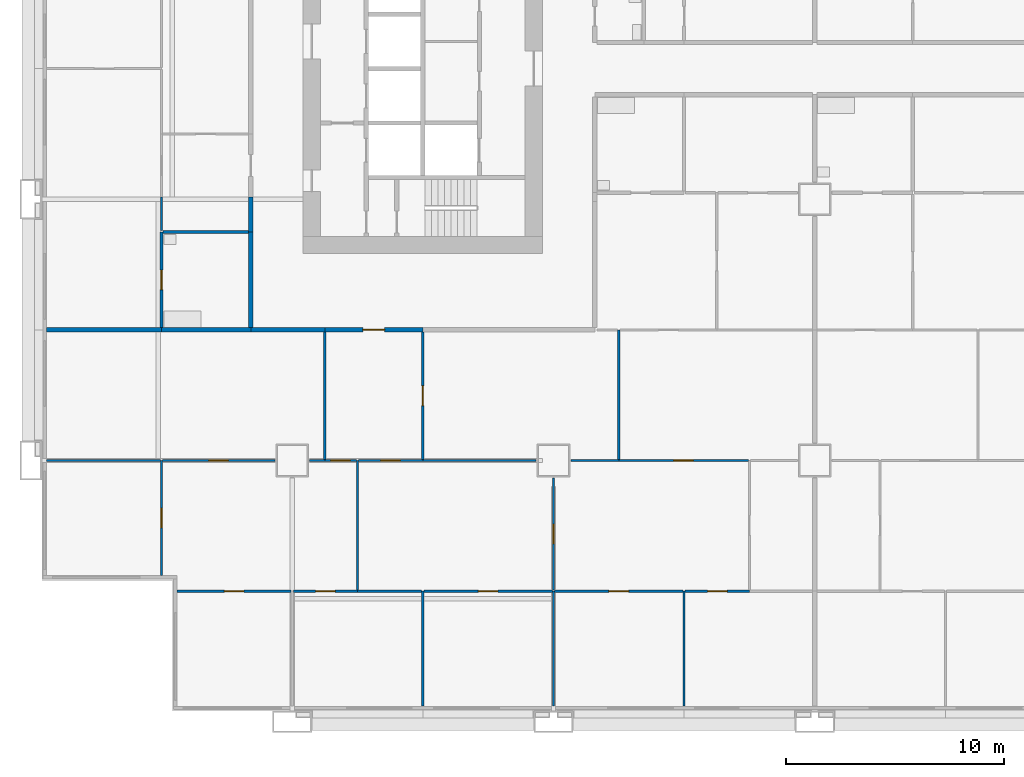
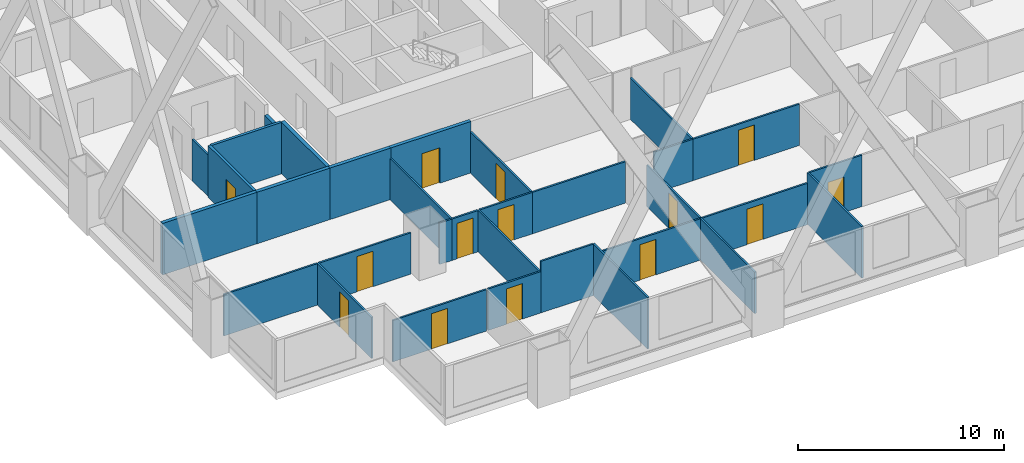
# One storey, part 2 of 13: 32 walls, 14 doors, 14 openings.
"""IFC4 building model written with IfcOpenShell, lengths in metres."""

from ifc_helpers import new_model, si_unit, direction, frame, frame_2d, origin, place, context, subcontext, project, spatial, rectangle, extrude, material, layer, layer_set, type_object, element, fill, save


model = new_model("IFC4")

# Units and contexts
model_context = context("Model", 3, precision=1e-05, world=origin(), true_north=direction((0.0, 1.0)))
body_context = subcontext(model_context, "Body", "Model", "MODEL_VIEW")
ifc_project = project(units=[si_unit("LENGTHUNIT", "METRE"), si_unit("AREAUNIT", "SQUARE_METRE"), si_unit("VOLUMEUNIT", "CUBIC_METRE"), si_unit("PLANEANGLEUNIT", "RADIAN"), si_unit("MASSUNIT", "GRAM", prefix="KILO")], contexts=[model_context])

# Site, building, storey
site_placement = place(None, origin())
site = spatial("IfcSite", under=ifc_project, at=site_placement, CompositionType="ELEMENT")
building_placement = place(site_placement, origin())
building = spatial("IfcBuilding", under=site, at=building_placement, Name="Kitamizu Gate Tower and Museum", CompositionType="ELEMENT")
storey_placement = place(building_placement, frame((0.0, 0.0, 30.0)))
storey = spatial("IfcBuildingStorey", under=building, at=storey_placement, Name="L05", CompositionType="ELEMENT", Elevation=30.0)

# Wall, opening, door
ifc_material_1 = material(Name="Gypsum board on galvanised stud")
ifc_layer_1 = layer(ifc_material_1, 0.10009765625)
ifc_layer_set_1 = layer_set([ifc_layer_1], Name="Gypsum board on galvanised stud")
wall_type_1 = type_object("IfcWallType", Name="Partition 100 NOT RATED", PredefinedType="PARTITIONING", material=ifc_layer_set_1)
wall_1_placement = place(storey_placement, frame((11.949951171875, 6.0, 0.0), z_axis=(0.0, 0.0, 1.0), x_axis=(-1.0, 0.0, 0.0)))
wall_1 = element("IfcWall", 1, at=wall_1_placement, inside=storey, type_object=wall_type_1, Name="Partition L05-002", PredefinedType="PARTITIONING", context=body_context, shape_type="SweptSolid", body=[
    extrude(rectangle(XDim=5.22998046875, YDim=0.10009765625, at=frame_2d((2.614990234375, 0.0))), origin(), (0.0, 0.0, 1.0), 2.449951171875),
])
opening_1_placement = place(wall_1_placement, frame((2.1650390625, 0.0, 0.0)))
opening_1 = element("IfcOpeningElement", 2, at=opening_1_placement, cuts=wall_1, Name="Opening L05-004", PredefinedType="OPENING", context=body_context, shape_type="SweptSolid", body=[
    extrude(rectangle(XDim=0.89990234375, YDim=2.10009765625, at=frame_2d((0.449951171875, 1.050048828125))), frame((0.0, 0.06005859375, 0.0), z_axis=(0.0, -1.0, 0.0), x_axis=(1.0, 0.0, 0.0)), (0.0, 0.0, 1.0), 0.1201171875),
])
ifc_material_2 = material(Name="Timber door set", Category="wood")
door_type_1 = type_object("IfcDoorType", Name="Room door 900", OperationType="NOTDEFINED", PredefinedType="DOOR", material=ifc_material_2)
door_1_placement = place(opening_1_placement, origin())
door_1 = element("IfcDoor", 3, at=door_1_placement, inside=storey, type_object=door_type_1, Name="Door L05-004", OperationType="SINGLE_SWING_LEFT", OverallHeight=2.10009765625, OverallWidth=0.89990234375, PredefinedType="DOOR", context=body_context, shape_type="SweptSolid", body=[
    extrude(rectangle(XDim=0.89990234375, YDim=2.10009765625, at=frame_2d((0.449951171875, 1.050048828125))), frame((0.0, 0.02490234375, 0.0), z_axis=(0.0, -1.0, 0.0), x_axis=(1.0, 0.0, 0.0)), (0.0, 0.0, 1.0), 0.050048828125),
])
fill(opening_1, door_1)

# Wall
wall_2_placement = place(storey_placement, frame((18.0, 0.719970703125, 0.0), z_axis=(0.0, 0.0, 1.0), x_axis=(0.0, 1.0, 0.0)))
element("IfcWall", 4, at=wall_2_placement, inside=storey, type_object=wall_type_1, Name="Partition L05-003", PredefinedType="PARTITIONING", context=body_context, shape_type="SweptSolid", body=[
    extrude(rectangle(XDim=5.280029296875, YDim=0.10009765625, at=frame_2d((2.64013671875, 0.0))), origin(), (0.0, 0.0, 1.0), 3.050048828125),
])

# Wall, opening, door
wall_3_placement = place(storey_placement, frame((15.0, 6.0, 0.0), z_axis=(0.0, 0.0, 1.0), x_axis=(-1.0, 0.0, 0.0)))
wall_3 = element("IfcWall", 5, at=wall_3_placement, inside=storey, type_object=wall_type_1, Name="Partition L05-004", PredefinedType="PARTITIONING", context=body_context, shape_type="SweptSolid", body=[
    extrude(rectangle(XDim=2.949951171875, YDim=0.10009765625, at=frame_2d((1.47509765625, 0.0))), origin(), (0.0, 0.0, 1.0), 2.449951171875),
])
opening_2_placement = place(wall_3_placement, frame((1.02490234375, 0.0, 0.0)))
opening_2 = element("IfcOpeningElement", 6, at=opening_2_placement, cuts=wall_3, Name="Opening L05-005", PredefinedType="OPENING", context=body_context, shape_type="SweptSolid", body=[
    extrude(rectangle(XDim=0.89990234375, YDim=2.10009765625, at=frame_2d((0.449951171875, 1.050048828125))), frame((0.0, 0.06005859375, 0.0), z_axis=(0.0, -1.0, 0.0), x_axis=(1.0, 0.0, 0.0)), (0.0, 0.0, 1.0), 0.1201171875),
])
door_2_placement = place(opening_2_placement, origin())
door_2 = element("IfcDoor", 7, at=door_2_placement, inside=storey, type_object=door_type_1, Name="Door L05-005", OperationType="SINGLE_SWING_LEFT", OverallHeight=2.10009765625, OverallWidth=0.89990234375, PredefinedType="DOOR", context=body_context, shape_type="SweptSolid", body=[
    extrude(rectangle(XDim=0.89990234375, YDim=2.10009765625, at=frame_2d((0.449951171875, 1.050048828125))), frame((0.0, 0.02490234375, 0.0), z_axis=(0.0, -1.0, 0.0), x_axis=(1.0, 0.0, 0.0)), (0.0, 0.0, 1.0), 0.050048828125),
])
fill(opening_2, door_2)

# Walls
wall_4_placement = place(storey_placement, frame((17.949951171875, 6.0, 0.0), z_axis=(0.0, 0.0, 1.0), x_axis=(-1.0, 0.0, 0.0)))
element("IfcWall", 8, at=wall_4_placement, inside=storey, type_object=wall_type_1, Name="Partition L05-005", PredefinedType="PARTITIONING", context=body_context, shape_type="SweptSolid", body=[
    extrude(rectangle(XDim=2.949951171875, YDim=0.10009765625, at=frame_2d((1.47509765625, 0.0))), origin(), (0.0, 0.0, 1.0), 3.050048828125),
])
wall_5_placement = place(storey_placement, frame((24.0, 0.719970703125, 0.0), z_axis=(0.0, 0.0, 1.0), x_axis=(0.0, 1.0, 0.0)))
element("IfcWall", 9, at=wall_5_placement, inside=storey, type_object=wall_type_1, Name="Partition L05-006", PredefinedType="PARTITIONING", context=body_context, shape_type="SweptSolid", body=[
    extrude(rectangle(XDim=5.280029296875, YDim=0.10009765625, at=frame_2d((2.64013671875, 0.0))), origin(), (0.0, 0.0, 1.0), 2.449951171875),
])

# Wall, opening, door
wall_6_placement = place(storey_placement, frame((23.949951171875, 6.0, 0.0), z_axis=(0.0, 0.0, 1.0), x_axis=(-1.0, 0.0, 0.0)))
wall_6 = element("IfcWall", 10, at=wall_6_placement, inside=storey, type_object=wall_type_1, Name="Partition L05-007", PredefinedType="PARTITIONING", context=body_context, shape_type="SweptSolid", body=[
    extrude(rectangle(XDim=5.89990234375, YDim=0.10009765625, at=frame_2d((2.949951171875, 0.0))), origin(), (0.0, 0.0, 1.0), 2.449951171875),
])
opening_3_placement = place(wall_6_placement, frame((2.5, 0.0, 0.0)))
opening_3 = element("IfcOpeningElement", 11, at=opening_3_placement, cuts=wall_6, Name="Opening L05-007", PredefinedType="OPENING", context=body_context, shape_type="SweptSolid", body=[
    extrude(rectangle(XDim=0.89990234375, YDim=2.10009765625, at=frame_2d((0.449951171875, 1.050048828125))), frame((0.0, 0.06005859375, 0.0), z_axis=(0.0, -1.0, 0.0), x_axis=(1.0, 0.0, 0.0)), (0.0, 0.0, 1.0), 0.1201171875),
])
door_3_placement = place(opening_3_placement, origin())
door_3 = element("IfcDoor", 12, at=door_3_placement, inside=storey, type_object=door_type_1, Name="Door L05-007", OperationType="SINGLE_SWING_LEFT", OverallHeight=2.10009765625, OverallWidth=0.89990234375, PredefinedType="DOOR", context=body_context, shape_type="SweptSolid", body=[
    extrude(rectangle(XDim=0.89990234375, YDim=2.10009765625, at=frame_2d((0.449951171875, 1.050048828125))), frame((0.0, 0.02490234375, 0.0), z_axis=(0.0, -1.0, 0.0), x_axis=(1.0, 0.0, 0.0)), (0.0, 0.0, 1.0), 0.050048828125),
])
fill(opening_3, door_3)

# Wall
wall_7_placement = place(storey_placement, frame((30.0, 0.719970703125, 0.0), z_axis=(0.0, 0.0, 1.0), x_axis=(0.0, 1.0, 0.0)))
element("IfcWall", 13, at=wall_7_placement, inside=storey, type_object=wall_type_1, Name="Partition L05-008", PredefinedType="PARTITIONING", context=body_context, shape_type="SweptSolid", body=[
    extrude(rectangle(XDim=5.280029296875, YDim=0.10009765625, at=frame_2d((2.64013671875, 0.0))), origin(), (0.0, 0.0, 1.0), 3.050048828125),
])

# Wall, opening, door
wall_8_placement = place(storey_placement, frame((29.949951171875, 6.0, 0.0), z_axis=(0.0, 0.0, 1.0), x_axis=(-1.0, 0.0, 0.0)))
wall_8 = element("IfcWall", 14, at=wall_8_placement, inside=storey, type_object=wall_type_1, Name="Partition L05-009", PredefinedType="PARTITIONING", context=body_context, shape_type="SweptSolid", body=[
    extrude(rectangle(XDim=5.89990234375, YDim=0.10009765625, at=frame_2d((2.949951171875, 0.0))), origin(), (0.0, 0.0, 1.0), 2.449951171875),
])
opening_4_placement = place(wall_8_placement, frame((2.5, 0.0, 0.0)))
opening_4 = element("IfcOpeningElement", 15, at=opening_4_placement, cuts=wall_8, Name="Opening L05-008", PredefinedType="OPENING", context=body_context, shape_type="SweptSolid", body=[
    extrude(rectangle(XDim=0.89990234375, YDim=2.10009765625, at=frame_2d((0.449951171875, 1.050048828125))), frame((0.0, 0.06005859375, 0.0), z_axis=(0.0, -1.0, 0.0), x_axis=(1.0, 0.0, 0.0)), (0.0, 0.0, 1.0), 0.1201171875),
])
door_4_placement = place(opening_4_placement, origin())
door_4 = element("IfcDoor", 16, at=door_4_placement, inside=storey, type_object=door_type_1, Name="Door L05-008", OperationType="SINGLE_SWING_RIGHT", OverallHeight=2.10009765625, OverallWidth=0.89990234375, PredefinedType="DOOR", context=body_context, shape_type="SweptSolid", body=[
    extrude(rectangle(XDim=0.89990234375, YDim=2.10009765625, at=frame_2d((0.449951171875, 1.050048828125))), frame((0.0, 0.02490234375, 0.0), z_axis=(0.0, -1.0, 0.0), x_axis=(1.0, 0.0, 0.0)), (0.0, 0.0, 1.0), 0.050048828125),
])
fill(opening_4, door_4)

wall_9_placement = place(storey_placement, frame((33.0, 6.0, 0.0), z_axis=(0.0, 0.0, 1.0), x_axis=(-1.0, 0.0, 0.0)))
wall_9 = element("IfcWall", 17, at=wall_9_placement, inside=storey, type_object=wall_type_1, Name="Partition L05-010", PredefinedType="PARTITIONING", context=body_context, shape_type="SweptSolid", body=[
    extrude(rectangle(XDim=2.949951171875, YDim=0.10009765625, at=frame_2d((1.47509765625, 0.0))), origin(), (0.0, 0.0, 1.0), 3.050048828125),
])
opening_5_placement = place(wall_9_placement, frame((1.02490234375, 0.0, 0.0)))
opening_5 = element("IfcOpeningElement", 18, at=opening_5_placement, cuts=wall_9, Name="Opening L05-009", PredefinedType="OPENING", context=body_context, shape_type="SweptSolid", body=[
    extrude(rectangle(XDim=0.89990234375, YDim=2.10009765625, at=frame_2d((0.449951171875, 1.050048828125))), frame((0.0, 0.06005859375, 0.0), z_axis=(0.0, -1.0, 0.0), x_axis=(1.0, 0.0, 0.0)), (0.0, 0.0, 1.0), 0.1201171875),
])
door_5_placement = place(opening_5_placement, origin())
door_5 = element("IfcDoor", 19, at=door_5_placement, inside=storey, type_object=door_type_1, Name="Door L05-009", OperationType="SINGLE_SWING_LEFT", OverallHeight=2.10009765625, OverallWidth=0.89990234375, PredefinedType="DOOR", context=body_context, shape_type="SweptSolid", body=[
    extrude(rectangle(XDim=0.89990234375, YDim=2.10009765625, at=frame_2d((0.449951171875, 1.050048828125))), frame((0.0, 0.02490234375, 0.0), z_axis=(0.0, -1.0, 0.0), x_axis=(1.0, 0.0, 0.0)), (0.0, 0.0, 1.0), 0.050048828125),
])
fill(opening_5, door_5)

wall_10_placement = place(storey_placement, frame((6.0, 6.719970703125, 0.0), z_axis=(0.0, 0.0, 1.0), x_axis=(0.0, 1.0, 0.0)))
wall_10 = element("IfcWall", 20, at=wall_10_placement, inside=storey, type_object=wall_type_1, Name="Partition L05-013", PredefinedType="PARTITIONING", context=body_context, shape_type="SweptSolid", body=[
    extrude(rectangle(XDim=5.280029296875, YDim=0.10009765625, at=frame_2d((2.64013671875, 0.0))), origin(), (0.0, 0.0, 1.0), 2.449951171875),
])
opening_6_placement = place(wall_10_placement, frame((2.18994140625, 0.0, 0.0)))
opening_6 = element("IfcOpeningElement", 21, at=opening_6_placement, cuts=wall_10, Name="Opening L05-010", PredefinedType="OPENING", context=body_context, shape_type="SweptSolid", body=[
    extrude(rectangle(XDim=0.89990234375, YDim=2.10009765625, at=frame_2d((0.449951171875, 1.050048828125))), frame((0.0, 0.06005859375, 0.0), z_axis=(0.0, -1.0, 0.0), x_axis=(1.0, 0.0, 0.0)), (0.0, 0.0, 1.0), 0.1201171875),
])
door_6_placement = place(opening_6_placement, origin())
door_6 = element("IfcDoor", 22, at=door_6_placement, inside=storey, type_object=door_type_1, Name="Door L05-010", OperationType="SINGLE_SWING_LEFT", OverallHeight=2.10009765625, OverallWidth=0.89990234375, PredefinedType="DOOR", context=body_context, shape_type="SweptSolid", body=[
    extrude(rectangle(XDim=0.89990234375, YDim=2.10009765625, at=frame_2d((0.449951171875, 1.050048828125))), frame((0.0, 0.02490234375, 0.0), z_axis=(0.0, -1.0, 0.0), x_axis=(1.0, 0.0, 0.0)), (0.0, 0.0, 1.0), 0.050048828125),
])
fill(opening_6, door_6)

# Walls
wall_11_placement = place(storey_placement, frame((5.949951171875, 12.0, 0.0), z_axis=(0.0, 0.0, 1.0), x_axis=(-1.0, 0.0, 0.0)))
element("IfcWall", 23, at=wall_11_placement, inside=storey, type_object=wall_type_1, Name="Partition L05-014", PredefinedType="PARTITIONING", context=body_context, shape_type="SweptSolid", body=[
    extrude(rectangle(XDim=5.22998046875, YDim=0.10009765625, at=frame_2d((2.614990234375, 0.0))), origin(), (0.0, 0.0, 1.0), 2.449951171875),
])
wall_12_placement = place(storey_placement, frame((15.0, 6.050048828125, 0.0), z_axis=(0.0, 0.0, 1.0), x_axis=(0.0, 1.0, 0.0)))
element("IfcWall", 24, at=wall_12_placement, inside=storey, type_object=wall_type_1, Name="Partition L05-015", PredefinedType="PARTITIONING", context=body_context, shape_type="SweptSolid", body=[
    extrude(rectangle(XDim=5.949951171875, YDim=0.10009765625, at=frame_2d((2.97509765625, 0.0))), origin(), (0.0, 0.0, 1.0), 2.449951171875),
])

# Wall, opening, door
wall_13_placement = place(storey_placement, frame((11.199951171875, 12.0, 0.0), z_axis=(0.0, 0.0, 1.0), x_axis=(-1.0, 0.0, 0.0)))
wall_13 = element("IfcWall", 25, at=wall_13_placement, inside=storey, type_object=wall_type_1, Name="Partition L05-016", PredefinedType="PARTITIONING", context=body_context, shape_type="SweptSolid", body=[
    extrude(rectangle(XDim=5.14990234375, YDim=0.10009765625, at=frame_2d((2.574951171875, 0.0))), origin(), (0.0, 0.0, 1.0), 2.449951171875),
])
opening_7_placement = place(wall_13_placement, frame((2.125, 0.0, 0.0)))
opening_7 = element("IfcOpeningElement", 26, at=opening_7_placement, cuts=wall_13, Name="Opening L05-012", PredefinedType="OPENING", context=body_context, shape_type="SweptSolid", body=[
    extrude(rectangle(XDim=0.89990234375, YDim=2.10009765625, at=frame_2d((0.449951171875, 1.050048828125))), frame((0.0, 0.06005859375, 0.0), z_axis=(0.0, -1.0, 0.0), x_axis=(1.0, 0.0, 0.0)), (0.0, 0.0, 1.0), 0.1201171875),
])
door_7_placement = place(opening_7_placement, frame((0.89990234375, 0.0, 0.0), x_axis=(-1.0, 0.0, 0.0)))
door_7 = element("IfcDoor", 27, at=door_7_placement, inside=storey, type_object=door_type_1, Name="Door L05-012", OperationType="SINGLE_SWING_RIGHT", OverallHeight=2.10009765625, OverallWidth=0.89990234375, PredefinedType="DOOR", context=body_context, shape_type="SweptSolid", body=[
    extrude(rectangle(XDim=0.89990234375, YDim=2.10009765625, at=frame_2d((0.449951171875, 1.050048828125))), frame((0.0, 0.02490234375, 0.0), z_axis=(0.0, -1.0, 0.0), x_axis=(1.0, 0.0, 0.0)), (0.0, 0.0, 1.0), 0.050048828125),
])
fill(opening_7, door_7)

# Wall
wall_14_placement = place(storey_placement, frame((13.5, 12.0, 0.0), z_axis=(0.0, 0.0, 1.0), x_axis=(-1.0, 0.0, 0.0)))
element("IfcWall", 28, at=wall_14_placement, inside=storey, type_object=wall_type_1, Name="Partition L05-017", PredefinedType="PARTITIONING", context=body_context, shape_type="SweptSolid", body=[
    extrude(rectangle(XDim=0.699951171875, YDim=0.10009765625, at=frame_2d((0.35009765625, 0.0))), origin(), (0.0, 0.0, 1.0), 2.449951171875),
])

# Wall, opening, door
wall_15_placement = place(storey_placement, frame((14.949951171875, 12.0, 0.0), z_axis=(0.0, 0.0, 1.0), x_axis=(-1.0, 0.0, 0.0)))
wall_15 = element("IfcWall", 29, at=wall_15_placement, inside=storey, type_object=wall_type_1, Name="Partition L05-018", PredefinedType="PARTITIONING", context=body_context, shape_type="SweptSolid", body=[
    extrude(rectangle(XDim=1.449951171875, YDim=0.10009765625, at=frame_2d((0.72509765625, 0.0))), origin(), (0.0, 0.0, 1.0), 2.449951171875),
])
opening_8_placement = place(wall_15_placement, frame((0.27490234375, 0.0, 0.0)))
opening_8 = element("IfcOpeningElement", 30, at=opening_8_placement, cuts=wall_15, Name="Opening L05-002", PredefinedType="OPENING", context=body_context, shape_type="SweptSolid", body=[
    extrude(rectangle(XDim=0.89990234375, YDim=2.10009765625, at=frame_2d((0.449951171875, 1.050048828125))), frame((0.0, 0.06005859375, 0.0), z_axis=(0.0, -1.0, 0.0), x_axis=(1.0, 0.0, 0.0)), (0.0, 0.0, 1.0), 0.1201171875),
])
door_8_placement = place(opening_8_placement, frame((0.89990234375, 0.0, 0.0), x_axis=(-1.0, 0.0, 0.0)))
door_8 = element("IfcDoor", 31, at=door_8_placement, inside=storey, type_object=door_type_1, Name="Door L05-002", OperationType="SINGLE_SWING_RIGHT", OverallHeight=2.10009765625, OverallWidth=0.89990234375, PredefinedType="DOOR", context=body_context, shape_type="SweptSolid", body=[
    extrude(rectangle(XDim=0.89990234375, YDim=2.10009765625, at=frame_2d((0.449951171875, 1.050048828125))), frame((0.0, 0.02490234375, 0.0), z_axis=(0.0, -1.0, 0.0), x_axis=(1.0, 0.0, 0.0)), (0.0, 0.0, 1.0), 0.050048828125),
])
fill(opening_8, door_8)

wall_16_placement = place(storey_placement, frame((24.0, 6.050048828125, 0.0), z_axis=(0.0, 0.0, 1.0), x_axis=(0.0, 1.0, 0.0)))
wall_16 = element("IfcWall", 32, at=wall_16_placement, inside=storey, type_object=wall_type_1, Name="Partition L05-019", PredefinedType="PARTITIONING", context=body_context, shape_type="SweptSolid", body=[
    extrude(rectangle(XDim=5.14990234375, YDim=0.10009765625, at=frame_2d((2.574951171875, 0.0))), origin(), (0.0, 0.0, 1.0), 2.449951171875),
])
opening_9_placement = place(wall_16_placement, frame((2.125, 0.0, 0.0)))
opening_9 = element("IfcOpeningElement", 33, at=opening_9_placement, cuts=wall_16, Name="Opening L05-006", PredefinedType="OPENING", context=body_context, shape_type="SweptSolid", body=[
    extrude(rectangle(XDim=0.89990234375, YDim=2.10009765625, at=frame_2d((0.449951171875, 1.050048828125))), frame((0.0, 0.06005859375, 0.0), z_axis=(0.0, -1.0, 0.0), x_axis=(1.0, 0.0, 0.0)), (0.0, 0.0, 1.0), 0.1201171875),
])
door_9_placement = place(opening_9_placement, origin())
door_9 = element("IfcDoor", 34, at=door_9_placement, inside=storey, type_object=door_type_1, Name="Door L05-006", OperationType="SINGLE_SWING_RIGHT", OverallHeight=2.10009765625, OverallWidth=0.89990234375, PredefinedType="DOOR", context=body_context, shape_type="SweptSolid", body=[
    extrude(rectangle(XDim=0.89990234375, YDim=2.10009765625, at=frame_2d((0.449951171875, 1.050048828125))), frame((0.0, 0.02490234375, 0.0), z_axis=(0.0, -1.0, 0.0), x_axis=(1.0, 0.0, 0.0)), (0.0, 0.0, 1.0), 0.050048828125),
])
fill(opening_9, door_9)

wall_17_placement = place(storey_placement, frame((18.0, 12.0, 0.0), z_axis=(0.0, 0.0, 1.0), x_axis=(-1.0, 0.0, 0.0)))
wall_17 = element("IfcWall", 35, at=wall_17_placement, inside=storey, type_object=wall_type_1, Name="Partition L05-020", PredefinedType="PARTITIONING", context=body_context, shape_type="SweptSolid", body=[
    extrude(rectangle(XDim=2.949951171875, YDim=0.10009765625, at=frame_2d((1.47509765625, 0.0))), origin(), (0.0, 0.0, 1.0), 2.449951171875),
])
opening_10_placement = place(wall_17_placement, frame((1.02490234375, 0.0, 0.0)))
opening_10 = element("IfcOpeningElement", 36, at=opening_10_placement, cuts=wall_17, Name="Opening L05-003", PredefinedType="OPENING", context=body_context, shape_type="SweptSolid", body=[
    extrude(rectangle(XDim=0.89990234375, YDim=2.10009765625, at=frame_2d((0.449951171875, 1.050048828125))), frame((0.0, 0.06005859375, 0.0), z_axis=(0.0, -1.0, 0.0), x_axis=(1.0, 0.0, 0.0)), (0.0, 0.0, 1.0), 0.1201171875),
])
door_10_placement = place(opening_10_placement, origin())
door_10 = element("IfcDoor", 37, at=door_10_placement, inside=storey, type_object=door_type_1, Name="Door L05-003", OperationType="SINGLE_SWING_LEFT", OverallHeight=2.10009765625, OverallWidth=0.89990234375, PredefinedType="DOOR", context=body_context, shape_type="SweptSolid", body=[
    extrude(rectangle(XDim=0.89990234375, YDim=2.10009765625, at=frame_2d((0.449951171875, 1.050048828125))), frame((0.0, 0.02490234375, 0.0), z_axis=(0.0, -1.0, 0.0), x_axis=(1.0, 0.0, 0.0)), (0.0, 0.0, 1.0), 0.050048828125),
])
fill(opening_10, door_10)

# Walls
wall_18_placement = place(storey_placement, frame((23.199951171875, 12.0, 0.0), z_axis=(0.0, 0.0, 1.0), x_axis=(-1.0, 0.0, 0.0)))
element("IfcWall", 38, at=wall_18_placement, inside=storey, type_object=wall_type_1, Name="Partition L05-021", PredefinedType="PARTITIONING", context=body_context, shape_type="SweptSolid", body=[
    extrude(rectangle(XDim=5.199951171875, YDim=0.10009765625, at=frame_2d((2.60009765625, 0.0))), origin(), (0.0, 0.0, 1.0), 2.449951171875),
])
wall_19_placement = place(storey_placement, frame((27.0, 12.0, 0.0), z_axis=(0.0, 0.0, 1.0), x_axis=(-1.0, 0.0, 0.0)))
element("IfcWall", 39, at=wall_19_placement, inside=storey, type_object=wall_type_1, Name="Partition L05-023", PredefinedType="PARTITIONING", context=body_context, shape_type="SweptSolid", body=[
    extrude(rectangle(XDim=2.199951171875, YDim=0.10009765625, at=frame_2d((1.10009765625, 0.0))), origin(), (0.0, 0.0, 1.0), 2.449951171875),
])

# Wall, opening, door
wall_20_placement = place(storey_placement, frame((32.949951171875, 12.0, 0.0), z_axis=(0.0, 0.0, 1.0), x_axis=(-1.0, 0.0, 0.0)))
wall_20 = element("IfcWall", 40, at=wall_20_placement, inside=storey, type_object=wall_type_1, Name="Partition L05-024", PredefinedType="PARTITIONING", context=body_context, shape_type="SweptSolid", body=[
    extrude(rectangle(XDim=5.949951171875, YDim=0.10009765625, at=frame_2d((2.97509765625, 0.0))), origin(), (0.0, 0.0, 1.0), 2.449951171875),
])
opening_11_placement = place(wall_20_placement, frame((2.52490234375, 0.0, 0.0)))
opening_11 = element("IfcOpeningElement", 41, at=opening_11_placement, cuts=wall_20, Name="Opening L05-014", PredefinedType="OPENING", context=body_context, shape_type="SweptSolid", body=[
    extrude(rectangle(XDim=0.89990234375, YDim=2.10009765625, at=frame_2d((0.449951171875, 1.050048828125))), frame((0.0, 0.06005859375, 0.0), z_axis=(0.0, -1.0, 0.0), x_axis=(1.0, 0.0, 0.0)), (0.0, 0.0, 1.0), 0.1201171875),
])
door_11_placement = place(opening_11_placement, origin())
door_11 = element("IfcDoor", 42, at=door_11_placement, inside=storey, type_object=door_type_1, Name="Door L05-014", OperationType="SINGLE_SWING_LEFT", OverallHeight=2.10009765625, OverallWidth=0.89990234375, PredefinedType="DOOR", context=body_context, shape_type="SweptSolid", body=[
    extrude(rectangle(XDim=0.89990234375, YDim=2.10009765625, at=frame_2d((0.449951171875, 1.050048828125))), frame((0.0, 0.02490234375, 0.0), z_axis=(0.0, -1.0, 0.0), x_axis=(1.0, 0.0, 0.0)), (0.0, 0.0, 1.0), 0.050048828125),
])
fill(opening_11, door_11)

# Wall
wall_21_placement = place(storey_placement, frame((13.5, 12.050048828125, 0.0), z_axis=(0.0, 0.0, 1.0), x_axis=(0.0, 1.0, 0.0)))
element("IfcWall", 43, at=wall_21_placement, inside=storey, type_object=wall_type_1, Name="Partition L05-027", PredefinedType="PARTITIONING", context=body_context, shape_type="SweptSolid", body=[
    extrude(rectangle(XDim=5.849853515625, YDim=0.10009765625, at=frame_2d((2.9248046875, 0.0))), origin(), (0.0, 0.0, 1.0), 2.449951171875),
])

# Wall, opening, door
wall_22_placement = place(storey_placement, frame((18.0, 12.050048828125, 0.0), z_axis=(0.0, 0.0, 1.0), x_axis=(0.0, 1.0, 0.0)))
wall_22 = element("IfcWall", 44, at=wall_22_placement, inside=storey, type_object=wall_type_1, Name="Partition L05-031", PredefinedType="PARTITIONING", context=body_context, shape_type="SweptSolid", body=[
    extrude(rectangle(XDim=5.849853515625, YDim=0.10009765625, at=frame_2d((2.9248046875, 0.0))), origin(), (0.0, 0.0, 1.0), 2.449951171875),
])
opening_12_placement = place(wall_22_placement, frame((2.47509765625, 0.0, 0.0)))
opening_12 = element("IfcOpeningElement", 45, at=opening_12_placement, cuts=wall_22, Name="Opening L05-013", PredefinedType="OPENING", context=body_context, shape_type="SweptSolid", body=[
    extrude(rectangle(XDim=0.89990234375, YDim=2.10009765625, at=frame_2d((0.449951171875, 1.050048828125))), frame((0.0, 0.06005859375, 0.0), z_axis=(0.0, -1.0, 0.0), x_axis=(1.0, 0.0, 0.0)), (0.0, 0.0, 1.0), 0.1201171875),
])
door_12_placement = place(opening_12_placement, frame((0.89990234375, 0.0, 0.0), x_axis=(-1.0, 0.0, 0.0)))
door_12 = element("IfcDoor", 46, at=door_12_placement, inside=storey, type_object=door_type_1, Name="Door L05-013", OperationType="SINGLE_SWING_LEFT", OverallHeight=2.10009765625, OverallWidth=0.89990234375, PredefinedType="DOOR", context=body_context, shape_type="SweptSolid", body=[
    extrude(rectangle(XDim=0.89990234375, YDim=2.10009765625, at=frame_2d((0.449951171875, 1.050048828125))), frame((0.0, 0.02490234375, 0.0), z_axis=(0.0, -1.0, 0.0), x_axis=(1.0, 0.0, 0.0)), (0.0, 0.0, 1.0), 0.050048828125),
])
fill(opening_12, door_12)

# Walls
wall_23_placement = place(storey_placement, frame((27.0, 12.050048828125, 0.0), z_axis=(0.0, 0.0, 1.0), x_axis=(0.0, 1.0, 0.0)))
element("IfcWall", 47, at=wall_23_placement, inside=storey, type_object=wall_type_1, Name="Partition L05-033", PredefinedType="PARTITIONING", context=body_context, shape_type="SweptSolid", body=[
    extrude(rectangle(XDim=5.949951171875, YDim=0.10009765625, at=frame_2d((2.97509765625, 0.0))), origin(), (0.0, 0.0, 1.0), 2.449951171875),
])
wall_24_placement = place(storey_placement, frame((6.0, 22.574951171875, 0.0), z_axis=(0.0, 0.0, 1.0), x_axis=(0.0, 1.0, 0.0)))
element("IfcWall", 48, at=wall_24_placement, inside=storey, type_object=wall_type_1, Name="Partition L05-053", PredefinedType="PARTITIONING", context=body_context, shape_type="SweptSolid", body=[
    extrude(rectangle(XDim=1.525146484375, YDim=0.10009765625, at=frame_2d((0.7626953125, 0.0))), origin(), (0.0, 0.0, 1.0), 2.449951171875),
])

# Wall, opening, door
ifc_material_3 = material(Name="Gypsum board on galvanised stud")
ifc_layer_2 = layer(ifc_material_3, 0.14990234375)
ifc_layer_set_2 = layer_set([ifc_layer_2], Name="Gypsum board on galvanised stud")
wall_type_2 = type_object("IfcWallType", Name="Partition 150", PredefinedType="PARTITIONING", material=ifc_layer_set_2)
wall_25_placement = place(storey_placement, frame((6.0, 18.10009765625, 0.0), z_axis=(0.0, 0.0, 1.0), x_axis=(0.0, 1.0, 0.0)))
wall_25 = element("IfcWall", 49, at=wall_25_placement, inside=storey, type_object=wall_type_2, Name="Partition L05-052", PredefinedType="PARTITIONING", context=body_context, shape_type="SweptSolid", body=[
    extrude(rectangle(XDim=4.39990234375, YDim=0.14990234375, at=frame_2d((2.199951171875, 0.0))), origin(), (0.0, 0.0, 1.0), 3.050048828125),
])
opening_13_placement = place(wall_25_placement, frame((1.75, 0.0, 0.0)))
opening_13 = element("IfcOpeningElement", 50, at=opening_13_placement, cuts=wall_25, Name="Opening L05-024", PredefinedType="OPENING", context=body_context, shape_type="SweptSolid", body=[
    extrude(rectangle(XDim=0.89990234375, YDim=2.10009765625, at=frame_2d((0.449951171875, 1.050048828125))), frame((0.0, 0.0849609375, 0.0), z_axis=(0.0, -1.0, 0.0), x_axis=(1.0, 0.0, 0.0)), (0.0, 0.0, 1.0), 0.169921875),
])
ifc_material_4 = material(Name="Timber door set", Category="wood")
door_type_2 = type_object("IfcDoorType", Name="Bathroom door 900", OperationType="NOTDEFINED", PredefinedType="DOOR", material=ifc_material_4)
door_13_placement = place(opening_13_placement, frame((0.89990234375, 0.0, 0.0), x_axis=(-1.0, 0.0, 0.0)))
door_13 = element("IfcDoor", 51, at=door_13_placement, inside=storey, type_object=door_type_2, Name="Bathroom door L05-024", OperationType="SINGLE_SWING_RIGHT", OverallHeight=2.10009765625, OverallWidth=0.89990234375, PredefinedType="DOOR", context=body_context, shape_type="SweptSolid", body=[
    extrude(rectangle(XDim=0.89990234375, YDim=2.10009765625, at=frame_2d((0.449951171875, 1.050048828125))), frame((0.0, 0.02490234375, 0.0), z_axis=(0.0, -1.0, 0.0), x_axis=(1.0, 0.0, 0.0)), (0.0, 0.0, 1.0), 0.050048828125),
])
fill(opening_13, door_13)

# Walls
wall_26_placement = place(storey_placement, frame((10.0, 22.5, 0.0), z_axis=(0.0, 0.0, 1.0), x_axis=(-1.0, 0.0, 0.0)))
element("IfcWall", 52, at=wall_26_placement, inside=storey, type_object=wall_type_2, Name="Partition L05-060", PredefinedType="PARTITIONING", context=body_context, shape_type="SweptSolid", body=[
    extrude(rectangle(XDim=3.925048828125, YDim=0.14990234375, at=frame_2d((1.96240234375, 0.0))), origin(), (0.0, 0.0, 1.0), 3.050048828125),
])
ifc_material_5 = material(Name="Gypsum board on galvanised stud")
ifc_layer_3 = layer(ifc_material_5, 0.199951171875)
ifc_layer_set_3 = layer_set([ifc_layer_3], Name="Gypsum board on galvanised stud")
wall_type_3 = type_object("IfcWallType", Name="Partition 200", PredefinedType="PARTITIONING", material=ifc_layer_set_3)
wall_27_placement = place(storey_placement, frame((6.0, 18.0, 0.0), z_axis=(0.0, 0.0, 1.0), x_axis=(-1.0, 0.0, 0.0)))
element("IfcWall", 53, at=wall_27_placement, inside=storey, type_object=wall_type_3, Name="Partition L05-028", PredefinedType="PARTITIONING", context=body_context, shape_type="SweptSolid", body=[
    extrude(rectangle(XDim=5.280029296875, YDim=0.199951171875, at=frame_2d((2.64013671875, 0.0))), origin(), (0.0, 0.0, 1.0), 3.050048828125),
])
wall_28_placement = place(storey_placement, frame((10.10009765625, 18.0, 0.0), z_axis=(0.0, 0.0, 1.0), x_axis=(-1.0, 0.0, 0.0)))
element("IfcWall", 54, at=wall_28_placement, inside=storey, type_object=wall_type_3, Name="Partition L05-029", PredefinedType="PARTITIONING", context=body_context, shape_type="SweptSolid", body=[
    extrude(rectangle(XDim=4.10009765625, YDim=0.199951171875, at=frame_2d((2.050048828125, 0.0))), origin(), (0.0, 0.0, 1.0), 3.050048828125),
])
wall_29_placement = place(storey_placement, frame((13.5, 18.0, 0.0), z_axis=(0.0, 0.0, 1.0), x_axis=(-1.0, 0.0, 0.0)))
element("IfcWall", 55, at=wall_29_placement, inside=storey, type_object=wall_type_3, Name="Partition L05-030", PredefinedType="PARTITIONING", context=body_context, shape_type="SweptSolid", body=[
    extrude(rectangle(XDim=3.39990234375, YDim=0.199951171875, at=frame_2d((1.699951171875, 0.0))), origin(), (0.0, 0.0, 1.0), 3.050048828125),
])

# Wall, opening, door
wall_30_placement = place(storey_placement, frame((18.0, 18.0, 0.0), z_axis=(0.0, 0.0, 1.0), x_axis=(-1.0, 0.0, 0.0)))
wall_30 = element("IfcWall", 56, at=wall_30_placement, inside=storey, type_object=wall_type_3, Name="Partition L05-032", PredefinedType="PARTITIONING", context=body_context, shape_type="SweptSolid", body=[
    extrude(rectangle(XDim=4.5, YDim=0.199951171875, at=frame_2d((2.25, 0.0))), origin(), (0.0, 0.0, 1.0), 3.050048828125),
])
opening_14_placement = place(wall_30_placement, frame((1.75, 0.0, 0.0)))
opening_14 = element("IfcOpeningElement", 57, at=opening_14_placement, cuts=wall_30, Name="Opening L05-001", PredefinedType="OPENING", context=body_context, shape_type="SweptSolid", body=[
    extrude(rectangle(XDim=1.0, YDim=2.10009765625, at=frame_2d((0.5, 1.050048828125))), frame((0.0, 0.10986328125, 0.0), z_axis=(0.0, -1.0, 0.0), x_axis=(1.0, 0.0, 0.0)), (0.0, 0.0, 1.0), 0.219970703125),
])
ifc_material_6 = material(Name="Timber door set", Category="wood")
door_type_3 = type_object("IfcDoorType", Name="Flat entrance door 1000", OperationType="NOTDEFINED", PredefinedType="DOOR", material=ifc_material_6)
door_14_placement = place(opening_14_placement, origin())
door_14 = element("IfcDoor", 58, at=door_14_placement, inside=storey, type_object=door_type_3, Name="Flat entrance door L05-001", OperationType="SINGLE_SWING_RIGHT", OverallHeight=2.10009765625, OverallWidth=1.0, PredefinedType="DOOR", context=body_context, shape_type="SweptSolid", body=[
    extrude(rectangle(XDim=1.0, YDim=2.10009765625, at=frame_2d((0.5, 1.050048828125))), frame((0.0, 0.02490234375, 0.0), z_axis=(0.0, -1.0, 0.0), x_axis=(1.0, 0.0, 0.0)), (0.0, 0.0, 1.0), 0.050048828125),
])
fill(opening_14, door_14)

# Walls
wall_31_placement = place(storey_placement, frame((10.10009765625, 18.10009765625, 0.0), z_axis=(0.0, 0.0, 1.0), x_axis=(0.0, 1.0, 0.0)))
element("IfcWall", 59, at=wall_31_placement, inside=storey, type_object=wall_type_3, Name="Partition L05-061", PredefinedType="PARTITIONING", context=body_context, shape_type="SweptSolid", body=[
    extrude(rectangle(XDim=4.39990234375, YDim=0.199951171875, at=frame_2d((2.199951171875, 0.0))), origin(), (0.0, 0.0, 1.0), 3.050048828125),
])
wall_32_placement = place(storey_placement, frame((10.10009765625, 22.5, 0.0), z_axis=(0.0, 0.0, 1.0), x_axis=(0.0, 1.0, 0.0)))
element("IfcWall", 60, at=wall_32_placement, inside=storey, type_object=wall_type_3, Name="Partition L05-063", PredefinedType="PARTITIONING", context=body_context, shape_type="SweptSolid", body=[
    extrude(rectangle(XDim=1.60009765625, YDim=0.199951171875, at=frame_2d((0.800048828125, 0.0))), origin(), (0.0, 0.0, 1.0), 2.449951171875),
])

save(model, "model.ifc")
